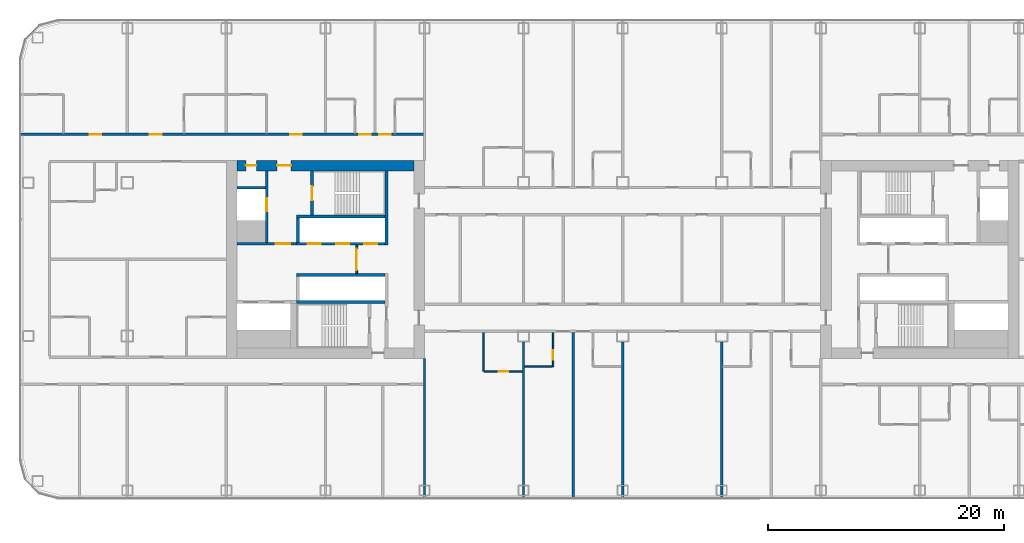
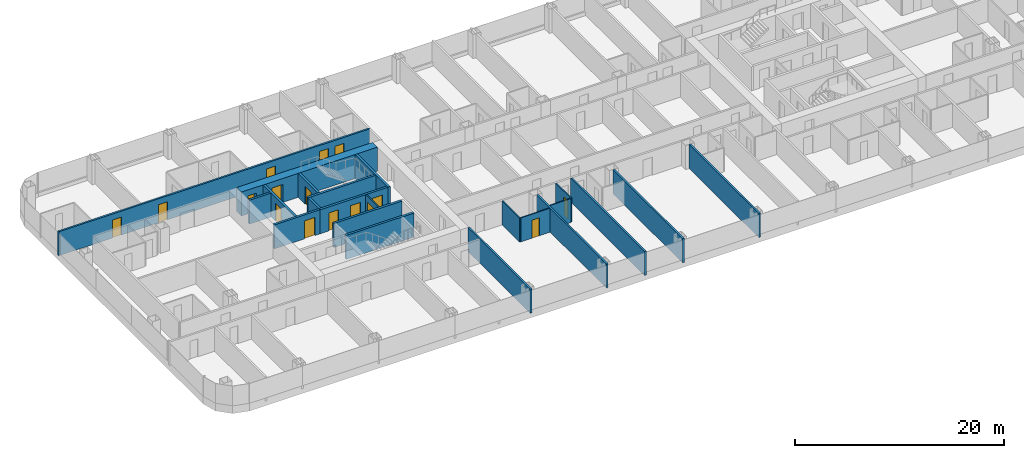
# One storey, part 14 of 28: 22 walls, 16 doors, 16 openings.
"""IFC4 building model written with IfcOpenShell, lengths in metres."""

from ifc_helpers import new_model, si_unit, direction, frame, frame_2d, origin, place, context, subcontext, project, spatial, rectangle, extrude, material, layer, layer_set, type_object, element, fill, save


model = new_model("IFC4")

# Units and contexts
model_context = context("Model", 3, precision=1e-05, world=origin(), true_north=direction((0.0, 1.0)))
body_context = subcontext(model_context, "Body", "Model", "MODEL_VIEW")
ifc_project = project(units=[si_unit("LENGTHUNIT", "METRE"), si_unit("AREAUNIT", "SQUARE_METRE"), si_unit("VOLUMEUNIT", "CUBIC_METRE"), si_unit("PLANEANGLEUNIT", "RADIAN"), si_unit("MASSUNIT", "GRAM", prefix="KILO")], contexts=[model_context])

# Site, building, storey
site_placement = place(None, origin())
site = spatial("IfcSite", under=ifc_project, at=site_placement, CompositionType="ELEMENT")
building_placement = place(site_placement, origin())
building = spatial("IfcBuilding", under=site, at=building_placement, Name="Hakoniwa Tower and Hamabe Station Hall", CompositionType="ELEMENT")
storey_placement = place(building_placement, frame((0.0, 0.0, 58.199951171875)))
storey = spatial("IfcBuildingStorey", under=building, at=storey_placement, Name="L16", CompositionType="ELEMENT", Elevation=58.199951171875)

# Wall, opening, door
ifc_material_1 = material(Name="Gypsum board partition", Category="gypsum")
ifc_layer_1 = layer(ifc_material_1, 0.125)
ifc_layer_set_1 = layer_set([ifc_layer_1], Name="Bathroom Partition 125")
wall_type_1 = type_object("IfcWallType", Name="Bathroom Partition 125", PredefinedType="PARTITIONING", material=ifc_layer_set_1)
wall_1_placement = place(storey_placement, frame((-11.737548828125, -9.5, 0.0), z_axis=(0.0, 0.0, 1.0), x_axis=(1.0, 0.0, 0.0)))
wall_1 = element("IfcWall", 1, at=wall_1_placement, inside=storey, type_object=wall_type_1, Name="GW-L16-009", PredefinedType="PARTITIONING", context=body_context, shape_type="SweptSolid", body=[
    extrude(rectangle(XDim=3.237548828125, YDim=0.125, at=frame_2d((1.61865234375, 0.0))), origin(), (0.0, 0.0, 1.0), 2.800048828125),
])
opening_1_placement = place(wall_1_placement, frame((1.237548828125, 0.0, 0.0)))
opening_1 = element("IfcOpeningElement", 2, at=opening_1_placement, cuts=wall_1, Name="Opening GD-G1C2-14", PredefinedType="OPENING", context=body_context, shape_type="SweptSolid", body=[
    extrude(rectangle(XDim=0.800048828125, YDim=2.10009765625, at=frame_2d((0.39990234375, 1.050048828125))), frame((0.0, 0.072509765625, 0.0), z_axis=(0.0, -1.0, 0.0), x_axis=(1.0, 0.0, 0.0)), (0.0, 0.0, 1.0), 0.14501953125),
])
ifc_material_2 = material(Name="Timber door leaf", Category="wood")
door_type_1 = type_object("IfcDoorType", Name="Bathroom Door 800", OperationType="SINGLE_SWING_LEFT", PredefinedType="DOOR", material=ifc_material_2)
door_1_placement = place(opening_1_placement, origin())
door_1 = element("IfcDoor", 3, at=door_1_placement, inside=storey, type_object=door_type_1, Name="Door GD-G1C2-14", OperationType="SINGLE_SWING_RIGHT", OverallHeight=2.10009765625, OverallWidth=0.800048828125, PredefinedType="DOOR", context=body_context, shape_type="SweptSolid", body=[
    extrude(rectangle(XDim=0.800048828125, YDim=2.10009765625, at=frame_2d((0.39990234375, 1.050048828125))), frame((0.0, 0.02490234375, 0.0), z_axis=(0.0, -1.0, 0.0), x_axis=(1.0, 0.0, 0.0)), (0.0, 0.0, 1.0), 0.050048828125),
])
fill(opening_1, door_1)

# Walls
wall_2_placement = place(storey_placement, frame((-8.300048828125, -9.10009765625, 0.0), z_axis=(0.0, 0.0, 1.0), x_axis=(1.0, 0.0, 0.0)))
element("IfcWall", 4, at=wall_2_placement, inside=storey, type_object=wall_type_1, Name="GW-L16-010", PredefinedType="PARTITIONING", context=body_context, shape_type="SweptSolid", body=[
    extrude(rectangle(XDim=2.337646484375, YDim=0.125, at=frame_2d((1.1689453125, 0.0))), origin(), (0.0, 0.0, 1.0), 2.800048828125),
])
wall_3_placement = place(storey_placement, frame((-11.800048828125, -9.5, 0.0), z_axis=(0.0, 0.0, 1.0), x_axis=(0.0, 1.0, 0.0)))
element("IfcWall", 5, at=wall_3_placement, inside=storey, type_object=wall_type_1, Name="GW-L16-071", PredefinedType="PARTITIONING", context=body_context, shape_type="SweptSolid", body=[
    extrude(rectangle(XDim=3.300048828125, YDim=0.125, at=frame_2d((1.64990234375, 0.0))), origin(), (0.0, 0.0, 1.0), 2.800048828125),
])

# Wall, opening, door
wall_4_placement = place(storey_placement, frame((-5.89990234375, -9.10009765625, 0.0), z_axis=(0.0, 0.0, 1.0), x_axis=(0.0, 1.0, 0.0)))
wall_4 = element("IfcWall", 6, at=wall_4_placement, inside=storey, type_object=wall_type_1, Name="GW-L16-076", PredefinedType="PARTITIONING", context=body_context, shape_type="SweptSolid", body=[
    extrude(rectangle(XDim=2.900146484375, YDim=0.125, at=frame_2d((1.4501953125, 0.0))), origin(), (0.0, 0.0, 1.0), 2.800048828125),
])
opening_2_placement = place(wall_4_placement, frame((0.60009765625, 0.0, 0.0)))
opening_2 = element("IfcOpeningElement", 7, at=opening_2_placement, cuts=wall_4, Name="Opening GD-G1C2-69", PredefinedType="OPENING", context=body_context, shape_type="SweptSolid", body=[
    extrude(rectangle(XDim=0.800048828125, YDim=2.10009765625, at=frame_2d((0.39990234375, 1.050048828125))), frame((0.0, 0.072509765625, 0.0), z_axis=(0.0, -1.0, 0.0), x_axis=(1.0, 0.0, 0.0)), (0.0, 0.0, 1.0), 0.14501953125),
])
door_2_placement = place(opening_2_placement, origin())
door_2 = element("IfcDoor", 8, at=door_2_placement, inside=storey, type_object=door_type_1, Name="Door GD-G1C2-69", OperationType="SINGLE_SWING_RIGHT", OverallHeight=2.10009765625, OverallWidth=0.800048828125, PredefinedType="DOOR", context=body_context, shape_type="SweptSolid", body=[
    extrude(rectangle(XDim=0.800048828125, YDim=2.10009765625, at=frame_2d((0.39990234375, 1.050048828125))), frame((0.0, 0.02490234375, 0.0), z_axis=(0.0, -1.0, 0.0), x_axis=(1.0, 0.0, 0.0)), (0.0, 0.0, 1.0), 0.050048828125),
])
fill(opening_2, door_2)

ifc_material_3 = material(Name="Gypsum board partition")
ifc_layer_2 = layer(ifc_material_3, 0.14990234375)
ifc_layer_set_2 = layer_set([ifc_layer_2], Name="CORE PARTITION 150 EI 60")
wall_type_2 = type_object("IfcWallType", Name="CORE PARTITION 150 EI 60", PredefinedType="PARTITIONING", material=ifc_layer_set_2)
wall_5_placement = place(storey_placement, frame((-22.550048828125, -1.199951171875, 0.0), z_axis=(0.0, 0.0, 1.0), x_axis=(0.0, 1.0, 0.0)))
wall_5 = element("IfcWall", 9, at=wall_5_placement, inside=storey, type_object=wall_type_2, Name="Core partition PL0 west", PredefinedType="PARTITIONING", context=body_context, shape_type="SweptSolid", body=[
    extrude(rectangle(XDim=2.39990234375, YDim=0.14990234375, at=frame_2d((1.199951171875, 0.0))), origin(), (0.0, 0.0, 1.0), 2.800048828125),
])
opening_3_placement = place(wall_5_placement, frame((0.300048828125, 0.0, 0.0)))
opening_3 = element("IfcOpeningElement", 10, at=opening_3_placement, cuts=wall_5, Name="Opening CD-W-LP0-18", PredefinedType="OPENING", context=body_context, shape_type="SweptSolid", body=[
    extrude(rectangle(XDim=1.800048828125, YDim=2.10009765625, at=frame_2d((0.89990234375, 1.050048828125))), frame((0.0, 0.0849609375, 0.0), z_axis=(0.0, -1.0, 0.0), x_axis=(1.0, 0.0, 0.0)), (0.0, 0.0, 1.0), 0.169921875),
])
ifc_material_4 = material(Name="Steel fire door", Category="steel")
door_type_2 = type_object("IfcDoorType", Name="CORE DOOR 1800 FD60", OperationType="DOUBLE_DOOR_SINGLE_SWING", PredefinedType="DOOR", material=ifc_material_4)
door_3_placement = place(opening_3_placement, origin())
door_3 = element("IfcDoor", 11, at=door_3_placement, inside=storey, type_object=door_type_2, Name="Lift lobby partition door", OperationType="DOUBLE_DOOR_SINGLE_SWING", OverallHeight=2.10009765625, OverallWidth=1.800048828125, PredefinedType="DOOR", context=body_context, shape_type="SweptSolid", body=[
    extrude(rectangle(XDim=1.800048828125, YDim=2.10009765625, at=frame_2d((0.89990234375, 1.050048828125))), frame((0.0, 0.02490234375, 0.0), z_axis=(0.0, -1.0, 0.0), x_axis=(1.0, 0.0, 0.0)), (0.0, 0.0, 1.0), 0.050048828125),
])
fill(opening_3, door_3)

# Wall, openings, doors
ifc_material_5 = material(Name="Concrete C80", Category="concrete")
ifc_layer_3 = layer(ifc_material_5, 0.89990234375)
ifc_layer_set_3 = layer_set([ifc_layer_3], Name="CORE WALL 900 C80")
wall_type_3 = type_object("IfcWallType", Name="CORE WALL 900 C80", PredefinedType="SHEAR", material=ifc_layer_set_3)
wall_6_placement = place(storey_placement, frame((-32.699951171875, 7.949951171875, 0.0), z_axis=(0.0, 0.0, 1.0), x_axis=(1.0, 0.0, 0.0)))
wall_6 = element("IfcWall", 12, at=wall_6_placement, inside=storey, type_object=wall_type_3, Name="Core wall NORTH west", PredefinedType="SHEAR", context=body_context, shape_type="SweptSolid", body=[
    extrude(rectangle(XDim=15.0, YDim=0.89990234375, at=frame_2d((7.5, 0.0))), origin(), (0.0, 0.0, 1.0), 2.800048828125),
])
opening_4_placement = place(wall_6_placement, frame((3.39990234375, 0.0, 0.0)))
opening_4 = element("IfcOpeningElement", 13, at=opening_4_placement, cuts=wall_6, Name="Opening CD-W-FN1-12", PredefinedType="OPENING", context=body_context, shape_type="SweptSolid", body=[
    extrude(rectangle(XDim=1.199951171875, YDim=2.10009765625, at=frame_2d((0.60009765625, 1.050048828125))), frame((0.0, 0.4599609375, 0.0), z_axis=(0.0, -1.0, 0.0), x_axis=(1.0, 0.0, 0.0)), (0.0, 0.0, 1.0), 0.919921875),
])
opening_5_placement = place(wall_6_placement, frame((0.75, 0.0, 0.0)))
opening_5 = element("IfcOpeningElement", 14, at=opening_5_placement, cuts=wall_6, Name="Opening CD-W-FN2-9", PredefinedType="OPENING", context=body_context, shape_type="SweptSolid", body=[
    extrude(rectangle(XDim=0.89990234375, YDim=2.10009765625, at=frame_2d((0.449951171875, 1.050048828125))), frame((0.0, 0.4599609375, 0.0), z_axis=(0.0, -1.0, 0.0), x_axis=(1.0, 0.0, 0.0)), (0.0, 0.0, 1.0), 0.919921875),
])
ifc_material_6 = material(Name="Steel fire door", Category="steel")
door_type_3 = type_object("IfcDoorType", Name="CORE DOOR 1200 FD60", OperationType="DOUBLE_DOOR_SINGLE_SWING", PredefinedType="DOOR", material=ifc_material_6)
door_4_placement = place(opening_4_placement, origin())
door_4 = element("IfcDoor", 15, at=door_4_placement, inside=storey, type_object=door_type_3, Name="Stair vestibule door to the fire-fighting lobby", OperationType="DOUBLE_DOOR_SINGLE_SWING", OverallHeight=2.10009765625, OverallWidth=1.199951171875, PredefinedType="DOOR", context=body_context, shape_type="SweptSolid", body=[
    extrude(rectangle(XDim=1.199951171875, YDim=2.10009765625, at=frame_2d((0.60009765625, 1.050048828125))), frame((0.0, 0.02490234375, 0.0), z_axis=(0.0, -1.0, 0.0), x_axis=(1.0, 0.0, 0.0)), (0.0, 0.0, 1.0), 0.050048828125),
])
fill(opening_4, door_4)
ifc_material_7 = material(Name="Steel fire door", Category="steel")
door_type_4 = type_object("IfcDoorType", Name="CORE DOOR 900 FD30", OperationType="NOTDEFINED", PredefinedType="DOOR", material=ifc_material_7)
door_5_placement = place(opening_5_placement, origin())
door_5 = element("IfcDoor", 16, at=door_5_placement, inside=storey, type_object=door_type_4, Name="Riser access door", OperationType="SINGLE_SWING_RIGHT", OverallHeight=2.10009765625, OverallWidth=0.89990234375, PredefinedType="DOOR", context=body_context, shape_type="SweptSolid", body=[
    extrude(rectangle(XDim=0.89990234375, YDim=2.10009765625, at=frame_2d((0.449951171875, 1.050048828125))), frame((0.0, 0.02490234375, 0.0), z_axis=(0.0, -1.0, 0.0), x_axis=(1.0, 0.0, 0.0)), (0.0, 0.0, 1.0), 0.050048828125),
])
fill(opening_5, door_5)

# Wall
ifc_material_8 = material(Name="Concrete C80", Category="concrete")
ifc_layer_4 = layer(ifc_material_8, 0.25)
ifc_layer_set_4 = layer_set([ifc_layer_4], Name="CORE WEB WALL 250 C80")
wall_type_4 = type_object("IfcWallType", Name="CORE WEB WALL 250 C80", PredefinedType="SHEAR", material=ifc_layer_set_4)
wall_7_placement = place(storey_placement, frame((-20.02490234375, 1.199951171875, 0.0), z_axis=(0.0, 0.0, 1.0), x_axis=(0.0, 1.0, 0.0)))
element("IfcWall", 17, at=wall_7_placement, inside=storey, type_object=wall_type_4, Name="Core wall W1N west", PredefinedType="SHEAR", context=body_context, shape_type="SweptSolid", body=[
    extrude(rectangle(XDim=6.300048828125, YDim=0.25, at=frame_2d((3.14990234375, 0.0))), origin(), (0.0, 0.0, 1.0), 2.800048828125),
])

# Wall, openings, doors
wall_8_placement = place(storey_placement, frame((-27.64990234375, 1.324951171875, 0.0), z_axis=(0.0, 0.0, 1.0), x_axis=(1.0, 0.0, 0.0)))
wall_8 = element("IfcWall", 18, at=wall_8_placement, inside=storey, type_object=wall_type_4, Name="Core wall NF west", PredefinedType="SHEAR", context=body_context, shape_type="SweptSolid", body=[
    extrude(rectangle(XDim=7.5, YDim=0.25, at=frame_2d((3.75, 0.0))), origin(), (0.0, 0.0, 1.0), 2.800048828125),
])
opening_6_placement = place(wall_8_placement, frame((5.75, 0.0, 0.0)))
opening_6 = element("IfcOpeningElement", 19, at=opening_6_placement, cuts=wall_8, Name="Opening LD-LR1", PredefinedType="OPENING", context=body_context, shape_type="SweptSolid", body=[
    extrude(rectangle(XDim=1.10009765625, YDim=2.10009765625, at=frame_2d((0.550048828125, 1.050048828125))), frame((0.0, 0.135009765625, 0.0), z_axis=(0.0, -1.0, 0.0), x_axis=(1.0, 0.0, 0.0)), (0.0, 0.0, 1.0), 0.27001953125),
])
opening_7_placement = place(wall_8_placement, frame((3.35009765625, 0.0, 0.0)))
opening_7 = element("IfcOpeningElement", 20, at=opening_7_placement, cuts=wall_8, Name="Opening LD-LR2", PredefinedType="OPENING", context=body_context, shape_type="SweptSolid", body=[
    extrude(rectangle(XDim=1.10009765625, YDim=2.10009765625, at=frame_2d((0.550048828125, 1.050048828125))), frame((0.0, 0.135009765625, 0.0), z_axis=(0.0, -1.0, 0.0), x_axis=(1.0, 0.0, 0.0)), (0.0, 0.0, 1.0), 0.27001953125),
])
opening_8_placement = place(wall_8_placement, frame((0.949951171875, 0.0, 0.0)))
opening_8 = element("IfcOpeningElement", 21, at=opening_8_placement, cuts=wall_8, Name="Opening LD-LR3", PredefinedType="OPENING", context=body_context, shape_type="SweptSolid", body=[
    extrude(rectangle(XDim=1.10009765625, YDim=2.10009765625, at=frame_2d((0.550048828125, 1.050048828125))), frame((0.0, 0.135009765625, 0.0), z_axis=(0.0, -1.0, 0.0), x_axis=(1.0, 0.0, 0.0)), (0.0, 0.0, 1.0), 0.27001953125),
])
ifc_material_9 = material(Name="Stainless steel SUS304", Category="steel")
door_type_5 = type_object("IfcDoorType", Name="LIFT LANDING DOOR 1100 FD60", OperationType="DOUBLE_DOOR_SLIDING", PredefinedType="DOOR", material=ifc_material_9)
door_6_placement = place(opening_6_placement, origin())
door_6 = element("IfcDoor", 22, at=door_6_placement, inside=storey, type_object=door_type_5, Name="Lift landing door LR1 L16", OperationType="DOUBLE_DOOR_SLIDING", OverallHeight=2.10009765625, OverallWidth=1.10009765625, PredefinedType="DOOR", context=body_context, shape_type="SweptSolid", body=[
    extrude(rectangle(XDim=1.10009765625, YDim=2.10009765625, at=frame_2d((0.550048828125, 1.050048828125))), frame((0.0, 0.02490234375, 0.0), z_axis=(0.0, -1.0, 0.0), x_axis=(1.0, 0.0, 0.0)), (0.0, 0.0, 1.0), 0.050048828125),
])
fill(opening_6, door_6)
door_7_placement = place(opening_7_placement, origin())
door_7 = element("IfcDoor", 23, at=door_7_placement, inside=storey, type_object=door_type_5, Name="Lift landing door LR2 L16", OperationType="DOUBLE_DOOR_SLIDING", OverallHeight=2.10009765625, OverallWidth=1.10009765625, PredefinedType="DOOR", context=body_context, shape_type="SweptSolid", body=[
    extrude(rectangle(XDim=1.10009765625, YDim=2.10009765625, at=frame_2d((0.550048828125, 1.050048828125))), frame((0.0, 0.02490234375, 0.0), z_axis=(0.0, -1.0, 0.0), x_axis=(1.0, 0.0, 0.0)), (0.0, 0.0, 1.0), 0.050048828125),
])
fill(opening_7, door_7)
door_8_placement = place(opening_8_placement, origin())
door_8 = element("IfcDoor", 24, at=door_8_placement, inside=storey, type_object=door_type_5, Name="Lift landing door LR3 L16", OperationType="DOUBLE_DOOR_SLIDING", OverallHeight=2.10009765625, OverallWidth=1.10009765625, PredefinedType="DOOR", context=body_context, shape_type="SweptSolid", body=[
    extrude(rectangle(XDim=1.10009765625, YDim=2.10009765625, at=frame_2d((0.550048828125, 1.050048828125))), frame((0.0, 0.02490234375, 0.0), z_axis=(0.0, -1.0, 0.0), x_axis=(1.0, 0.0, 0.0)), (0.0, 0.0, 1.0), 0.050048828125),
])
fill(opening_8, door_8)

# Walls
wall_9_placement = place(storey_placement, frame((-27.52490234375, 1.449951171875, 0.0), z_axis=(0.0, 0.0, 1.0), x_axis=(0.0, 1.0, 0.0)))
element("IfcWall", 25, at=wall_9_placement, inside=storey, type_object=wall_type_4, Name="Core wall NE west", PredefinedType="SHEAR", context=body_context, shape_type="SweptSolid", body=[
    extrude(rectangle(XDim=2.050048828125, YDim=0.25, at=frame_2d((1.02490234375, 0.0))), origin(), (0.0, 0.0, 1.0), 2.800048828125),
])
wall_10_placement = place(storey_placement, frame((-27.64990234375, 3.625, 0.0), z_axis=(0.0, 0.0, 1.0), x_axis=(1.0, 0.0, 0.0)))
element("IfcWall", 26, at=wall_10_placement, inside=storey, type_object=wall_type_4, Name="Core wall NR west", PredefinedType="SHEAR", context=body_context, shape_type="SweptSolid", body=[
    extrude(rectangle(XDim=7.5, YDim=0.25, at=frame_2d((3.75, 0.0))), origin(), (0.0, 0.0, 1.0), 2.800048828125),
])

# Wall, opening, door
wall_11_placement = place(storey_placement, frame((-26.324951171875, 3.75, 0.0), z_axis=(0.0, 0.0, 1.0), x_axis=(0.0, 1.0, 0.0)))
wall_11 = element("IfcWall", 27, at=wall_11_placement, inside=storey, type_object=wall_type_4, Name="Core wall NSE west", PredefinedType="SHEAR", context=body_context, shape_type="SweptSolid", body=[
    extrude(rectangle(XDim=3.75, YDim=0.25, at=frame_2d((1.875, 0.0))), origin(), (0.0, 0.0, 1.0), 2.800048828125),
])
opening_9_placement = place(wall_11_placement, frame((1.25, 0.0, 0.0)))
opening_9 = element("IfcOpeningElement", 28, at=opening_9_placement, cuts=wall_11, Name="Opening CD-W-SN-12", PredefinedType="OPENING", context=body_context, shape_type="SweptSolid", body=[
    extrude(rectangle(XDim=1.199951171875, YDim=2.10009765625, at=frame_2d((0.60009765625, 1.050048828125))), frame((0.0, 0.135009765625, 0.0), z_axis=(0.0, -1.0, 0.0), x_axis=(1.0, 0.0, 0.0)), (0.0, 0.0, 1.0), 0.27001953125),
])
door_9_placement = place(opening_9_placement, origin())
door_9 = element("IfcDoor", 29, at=door_9_placement, inside=storey, type_object=door_type_3, Name="Escape stair door", OperationType="DOUBLE_DOOR_SINGLE_SWING", OverallHeight=2.10009765625, OverallWidth=1.199951171875, PredefinedType="DOOR", context=body_context, shape_type="SweptSolid", body=[
    extrude(rectangle(XDim=1.199951171875, YDim=2.10009765625, at=frame_2d((0.60009765625, 1.050048828125))), frame((0.0, 0.02490234375, 0.0), z_axis=(0.0, -1.0, 0.0), x_axis=(1.0, 0.0, 0.0)), (0.0, 0.0, 1.0), 0.050048828125),
])
fill(opening_9, door_9)

wall_12_placement = place(storey_placement, frame((-32.699951171875, 1.324951171875, 0.0), z_axis=(0.0, 0.0, 1.0), x_axis=(1.0, 0.0, 0.0)))
wall_12 = element("IfcWall", 30, at=wall_12_placement, inside=storey, type_object=wall_type_4, Name="Core wall ELN west", PredefinedType="SHEAR", context=body_context, shape_type="SweptSolid", body=[
    extrude(rectangle(XDim=5.050048828125, YDim=0.25, at=frame_2d((2.52490234375, 0.0))), origin(), (0.0, 0.0, 1.0), 2.800048828125),
])
opening_10_placement = place(wall_12_placement, frame((3.300048828125, 0.0, 0.0)))
opening_10 = element("IfcOpeningElement", 31, at=opening_10_placement, cuts=wall_12, Name="Opening CD-W-FL-12", PredefinedType="OPENING", context=body_context, shape_type="SweptSolid", body=[
    extrude(rectangle(XDim=1.199951171875, YDim=2.10009765625, at=frame_2d((0.60009765625, 1.050048828125))), frame((0.0, 0.135009765625, 0.0), z_axis=(0.0, -1.0, 0.0), x_axis=(1.0, 0.0, 0.0)), (0.0, 0.0, 1.0), 0.27001953125),
])
door_10_placement = place(opening_10_placement, origin())
door_10 = element("IfcDoor", 32, at=door_10_placement, inside=storey, type_object=door_type_3, Name="Stair vestibule door to the fire-fighting lobby", OperationType="DOUBLE_DOOR_SINGLE_SWING", OverallHeight=2.10009765625, OverallWidth=1.199951171875, PredefinedType="DOOR", context=body_context, shape_type="SweptSolid", body=[
    extrude(rectangle(XDim=1.199951171875, YDim=2.10009765625, at=frame_2d((0.60009765625, 1.050048828125))), frame((0.0, 0.02490234375, 0.0), z_axis=(0.0, -1.0, 0.0), x_axis=(1.0, 0.0, 0.0)), (0.0, 0.0, 1.0), 0.050048828125),
])
fill(opening_10, door_10)

wall_13_placement = place(storey_placement, frame((-30.175048828125, 1.449951171875, 0.0), z_axis=(0.0, 0.0, 1.0), x_axis=(0.0, 1.0, 0.0)))
wall_13 = element("IfcWall", 33, at=wall_13_placement, inside=storey, type_object=wall_type_4, Name="Core wall FFF west", PredefinedType="SHEAR", context=body_context, shape_type="SweptSolid", body=[
    extrude(rectangle(XDim=6.050048828125, YDim=0.25, at=frame_2d((3.02490234375, 0.0))), origin(), (0.0, 0.0, 1.0), 2.800048828125),
])
opening_11_placement = place(wall_13_placement, frame((2.625, 0.0, 0.0)))
opening_11 = element("IfcOpeningElement", 34, at=opening_11_placement, cuts=wall_13, Name="Opening LD-FF1", PredefinedType="OPENING", context=body_context, shape_type="SweptSolid", body=[
    extrude(rectangle(XDim=1.10009765625, YDim=2.10009765625, at=frame_2d((0.550048828125, 1.050048828125))), frame((0.0, 0.135009765625, 0.0), z_axis=(0.0, -1.0, 0.0), x_axis=(1.0, 0.0, 0.0)), (0.0, 0.0, 1.0), 0.27001953125),
])
door_11_placement = place(opening_11_placement, origin())
door_11 = element("IfcDoor", 35, at=door_11_placement, inside=storey, type_object=door_type_5, Name="Lift landing door FF1 L16", OperationType="DOUBLE_DOOR_SLIDING", OverallHeight=2.10009765625, OverallWidth=1.10009765625, PredefinedType="DOOR", context=body_context, shape_type="SweptSolid", body=[
    extrude(rectangle(XDim=1.10009765625, YDim=2.10009765625, at=frame_2d((0.550048828125, 1.050048828125))), frame((0.0, 0.02490234375, 0.0), z_axis=(0.0, -1.0, 0.0), x_axis=(1.0, 0.0, 0.0)), (0.0, 0.0, 1.0), 0.050048828125),
])
fill(opening_11, door_11)

# Walls
wall_14_placement = place(storey_placement, frame((-32.699951171875, 6.074951171875, 0.0), z_axis=(0.0, 0.0, 1.0), x_axis=(1.0, 0.0, 0.0)))
element("IfcWall", 36, at=wall_14_placement, inside=storey, type_object=wall_type_4, Name="Core wall C2 west", PredefinedType="SHEAR", context=body_context, shape_type="SweptSolid", body=[
    extrude(rectangle(XDim=2.39990234375, YDim=0.25, at=frame_2d((1.199951171875, 0.0))), origin(), (0.0, 0.0, 1.0), 2.800048828125),
])
for number, where, z_axis, x_axis, name in (
    (37, (-27.64990234375, -1.324951171875, 0.0), (0.0, 0.0, 1.0), (1.0, 0.0, 0.0), "Core wall SF west"),
    (38, (-27.64990234375, -3.625, 0.0), (0.0, 0.0, 1.0), (1.0, 0.0, 0.0), "Core wall SR west"),
):
    element("IfcWall", number, at=place(storey_placement, frame(where, z_axis=z_axis, x_axis=x_axis)), inside=storey, type_object=wall_type_4, Name=name, PredefinedType="SHEAR", context=body_context, shape_type="SweptSolid", body=[
        extrude(rectangle(XDim=7.5, YDim=0.25, at=frame_2d((3.75, 0.0))), origin(), (0.0, 0.0, 1.0), 2.800048828125),
    ])

# Wall, openings, doors
ifc_material_10 = material(Name="Fire-rated gypsum board partition", Category="gypsum")
ifc_layer_5 = layer(ifc_material_10, 0.199951171875)
ifc_layer_set_5 = layer_set([ifc_layer_5], Name="Corridor Wall 200")
wall_type_5 = type_object("IfcWallType", Name="Corridor Wall 200", PredefinedType="PARTITIONING", material=ifc_layer_set_5)
wall_15_placement = place(storey_placement, frame((-51.10009765625, 10.60009765625, 0.0), z_axis=(0.0, 0.0, 1.0), x_axis=(1.0, 0.0, 0.0)))
wall_15 = element("IfcWall", 39, at=wall_15_placement, inside=storey, type_object=wall_type_5, Name="GW-L16-036", PredefinedType="PARTITIONING", context=body_context, shape_type="SweptSolid", body=[
    extrude(rectangle(XDim=34.300048828125, YDim=0.199951171875, at=frame_2d((17.14990234375, 0.0))), origin(), (0.0, 0.0, 1.0), 2.800048828125),
])
opening_12_placement = place(wall_15_placement, frame((5.89990234375, 0.0, 0.0)))
opening_12 = element("IfcOpeningElement", 40, at=opening_12_placement, cuts=wall_15, Name="Opening GD-G1C2-51", PredefinedType="OPENING", context=body_context, shape_type="SweptSolid", body=[
    extrude(rectangle(XDim=1.0, YDim=2.10009765625, at=frame_2d((0.5, 1.050048828125))), frame((0.0, 0.10986328125, 0.0), z_axis=(0.0, -1.0, 0.0), x_axis=(1.0, 0.0, 0.0)), (0.0, 0.0, 1.0), 0.219970703125),
])
opening_13_placement = place(wall_15_placement, frame((11.0, 0.0, 0.0)))
opening_13 = element("IfcOpeningElement", 41, at=opening_13_placement, cuts=wall_15, Name="Opening GD-G1C2-52", PredefinedType="OPENING", context=body_context, shape_type="SweptSolid", body=[
    extrude(rectangle(XDim=1.0, YDim=2.10009765625, at=frame_2d((0.5, 1.050048828125))), frame((0.0, 0.10986328125, 0.0), z_axis=(0.0, -1.0, 0.0), x_axis=(1.0, 0.0, 0.0)), (0.0, 0.0, 1.0), 0.219970703125),
])
opening_14_placement = place(wall_15_placement, frame((22.89990234375, 0.0, 0.0)))
opening_14 = element("IfcOpeningElement", 42, at=opening_14_placement, cuts=wall_15, Name="Opening GD-G1C2-53", PredefinedType="OPENING", context=body_context, shape_type="SweptSolid", body=[
    extrude(rectangle(XDim=1.0, YDim=2.10009765625, at=frame_2d((0.5, 1.050048828125))), frame((0.0, 0.10986328125, 0.0), z_axis=(0.0, -1.0, 0.0), x_axis=(1.0, 0.0, 0.0)), (0.0, 0.0, 1.0), 0.219970703125),
])
opening_15_placement = place(wall_15_placement, frame((28.75, 0.0, 0.0)))
opening_15 = element("IfcOpeningElement", 43, at=opening_15_placement, cuts=wall_15, Name="Opening GD-G1C2-54", PredefinedType="OPENING", context=body_context, shape_type="SweptSolid", body=[
    extrude(rectangle(XDim=1.0, YDim=2.10009765625, at=frame_2d((0.5, 1.050048828125))), frame((0.0, 0.10986328125, 0.0), z_axis=(0.0, -1.0, 0.0), x_axis=(1.0, 0.0, 0.0)), (0.0, 0.0, 1.0), 0.219970703125),
])
opening_16_placement = place(wall_15_placement, frame((30.449951171875, 0.0, 0.0)))
opening_16 = element("IfcOpeningElement", 44, at=opening_16_placement, cuts=wall_15, Name="Opening GD-G1C2-55", PredefinedType="OPENING", context=body_context, shape_type="SweptSolid", body=[
    extrude(rectangle(XDim=1.0, YDim=2.10009765625, at=frame_2d((0.5, 1.050048828125))), frame((0.0, 0.10986328125, 0.0), z_axis=(0.0, -1.0, 0.0), x_axis=(1.0, 0.0, 0.0)), (0.0, 0.0, 1.0), 0.219970703125),
])
ifc_material_11 = material(Name="Timber door leaf", Category="wood")
door_type_6 = type_object("IfcDoorType", Name="Accessible Guest Entrance Door 1000", OperationType="SINGLE_SWING_LEFT", PredefinedType="DOOR", material=ifc_material_11)
door_12_placement = place(opening_13_placement, origin())
door_12 = element("IfcDoor", 45, at=door_12_placement, inside=storey, type_object=door_type_6, Name="Door GD-G1C2-52", OperationType="SINGLE_SWING_RIGHT", OverallHeight=2.10009765625, OverallWidth=1.0, PredefinedType="DOOR", context=body_context, shape_type="SweptSolid", body=[
    extrude(rectangle(XDim=1.0, YDim=2.10009765625, at=frame_2d((0.5, 1.050048828125))), frame((0.0, 0.02490234375, 0.0), z_axis=(0.0, -1.0, 0.0), x_axis=(1.0, 0.0, 0.0)), (0.0, 0.0, 1.0), 0.050048828125),
])
fill(opening_13, door_12)
ifc_material_12 = material(Name="Timber door leaf", Category="wood")
door_type_7 = type_object("IfcDoorType", Name="Guest Entrance Door 1000", OperationType="SINGLE_SWING_LEFT", PredefinedType="DOOR", material=ifc_material_12)
door_13_placement = place(opening_12_placement, origin())
door_13 = element("IfcDoor", 46, at=door_13_placement, inside=storey, type_object=door_type_7, Name="Door GD-G1C2-51", OperationType="SINGLE_SWING_LEFT", OverallHeight=2.10009765625, OverallWidth=1.0, PredefinedType="DOOR", context=body_context, shape_type="SweptSolid", body=[
    extrude(rectangle(XDim=1.0, YDim=2.10009765625, at=frame_2d((0.5, 1.050048828125))), frame((0.0, 0.02490234375, 0.0), z_axis=(0.0, -1.0, 0.0), x_axis=(1.0, 0.0, 0.0)), (0.0, 0.0, 1.0), 0.050048828125),
])
fill(opening_12, door_13)
door_14_placement = place(opening_14_placement, origin())
door_14 = element("IfcDoor", 47, at=door_14_placement, inside=storey, type_object=door_type_7, Name="Door GD-G1C2-53", OperationType="SINGLE_SWING_LEFT", OverallHeight=2.10009765625, OverallWidth=1.0, PredefinedType="DOOR", context=body_context, shape_type="SweptSolid", body=[
    extrude(rectangle(XDim=1.0, YDim=2.10009765625, at=frame_2d((0.5, 1.050048828125))), frame((0.0, 0.02490234375, 0.0), z_axis=(0.0, -1.0, 0.0), x_axis=(1.0, 0.0, 0.0)), (0.0, 0.0, 1.0), 0.050048828125),
])
fill(opening_14, door_14)
door_15_placement = place(opening_15_placement, origin())
door_15 = element("IfcDoor", 48, at=door_15_placement, inside=storey, type_object=door_type_7, Name="Door GD-G1C2-54", OperationType="SINGLE_SWING_RIGHT", OverallHeight=2.10009765625, OverallWidth=1.0, PredefinedType="DOOR", context=body_context, shape_type="SweptSolid", body=[
    extrude(rectangle(XDim=1.0, YDim=2.10009765625, at=frame_2d((0.5, 1.050048828125))), frame((0.0, 0.02490234375, 0.0), z_axis=(0.0, -1.0, 0.0), x_axis=(1.0, 0.0, 0.0)), (0.0, 0.0, 1.0), 0.050048828125),
])
fill(opening_15, door_15)
door_16_placement = place(opening_16_placement, origin())
door_16 = element("IfcDoor", 49, at=door_16_placement, inside=storey, type_object=door_type_7, Name="Door GD-G1C2-55", OperationType="SINGLE_SWING_LEFT", OverallHeight=2.10009765625, OverallWidth=1.0, PredefinedType="DOOR", context=body_context, shape_type="SweptSolid", body=[
    extrude(rectangle(XDim=1.0, YDim=2.10009765625, at=frame_2d((0.5, 1.050048828125))), frame((0.0, 0.02490234375, 0.0), z_axis=(0.0, -1.0, 0.0), x_axis=(1.0, 0.0, 0.0)), (0.0, 0.0, 1.0), 0.050048828125),
])
fill(opening_16, door_16)

# Walls
ifc_material_13 = material(Name="Fire-rated gypsum board partition", Category="gypsum")
ifc_layer_6 = layer(ifc_material_13, 0.199951171875)
ifc_layer_set_6 = layer_set([ifc_layer_6], Name="Party Wall 200")
wall_type_6 = type_object("IfcWallType", Name="Party Wall 200", PredefinedType="PARTITIONING", material=ifc_layer_set_6)
wall_16_placement = place(storey_placement, frame((-16.800048828125, -20.300048828125, 0.0), z_axis=(0.0, 0.0, 1.0), x_axis=(0.0, 1.0, 0.0)))
element("IfcWall", 50, at=wall_16_placement, inside=storey, type_object=wall_type_6, Name="GW-L16-068", PredefinedType="PARTITIONING", context=body_context, shape_type="SweptSolid", body=[
    extrude(rectangle(XDim=11.91015625, YDim=0.199951171875, at=frame_2d((5.955078125, 0.0))), origin(), (0.0, 0.0, 1.0), 2.800048828125),
])
wall_17_placement = place(storey_placement, frame((-8.39990234375, -20.300048828125, 0.0), z_axis=(0.0, 0.0, 1.0), x_axis=(0.0, 1.0, 0.0)))
element("IfcWall", 51, at=wall_17_placement, inside=storey, type_object=wall_type_6, Name="GW-L16-073", PredefinedType="PARTITIONING", context=body_context, shape_type="SweptSolid", body=[
    extrude(rectangle(XDim=13.31005859375, YDim=0.199951171875, at=frame_2d((6.655029296875, 0.0))), origin(), (0.0, 0.0, 1.0), 2.800048828125),
])
wall_18_placement = place(storey_placement, frame((-4.199951171875, -20.300048828125, 0.0), z_axis=(0.0, 0.0, 1.0), x_axis=(0.0, 1.0, 0.0)))
element("IfcWall", 52, at=wall_18_placement, inside=storey, type_object=wall_type_6, Name="GW-L16-079", PredefinedType="PARTITIONING", context=body_context, shape_type="SweptSolid", body=[
    extrude(rectangle(XDim=14.10009765625, YDim=0.199951171875, at=frame_2d((7.050048828125, 0.0))), origin(), (0.0, 0.0, 1.0), 2.800048828125),
])
for number, where, z_axis, x_axis, name in (
    (53, (0.0, -20.300048828125, 0.0), (0.0, 0.0, 1.0), (0.0, 1.0, 0.0), "GW-L16-083"),
    (54, (8.39990234375, -20.300048828125, 0.0), (0.0, 0.0, 1.0), (0.0, 1.0, 0.0), "GW-L16-087"),
):
    element("IfcWall", number, at=place(storey_placement, frame(where, z_axis=z_axis, x_axis=x_axis)), inside=storey, type_object=wall_type_6, Name=name, PredefinedType="PARTITIONING", context=body_context, shape_type="SweptSolid", body=[
        extrude(rectangle(XDim=13.31005859375, YDim=0.199951171875, at=frame_2d((6.655029296875, 0.0))), origin(), (0.0, 0.0, 1.0), 2.800048828125),
    ])

save(model, "model.ifc")
